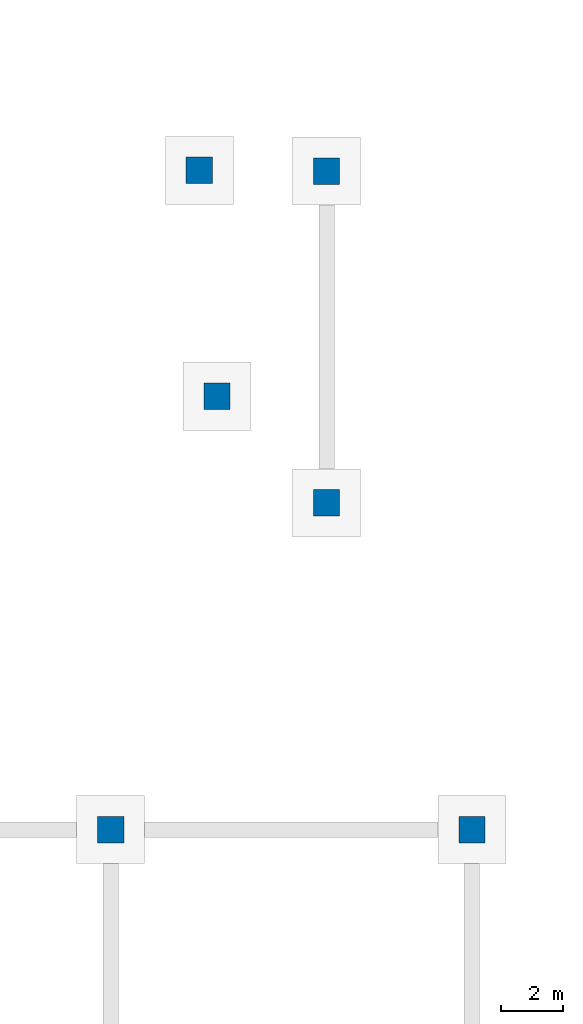
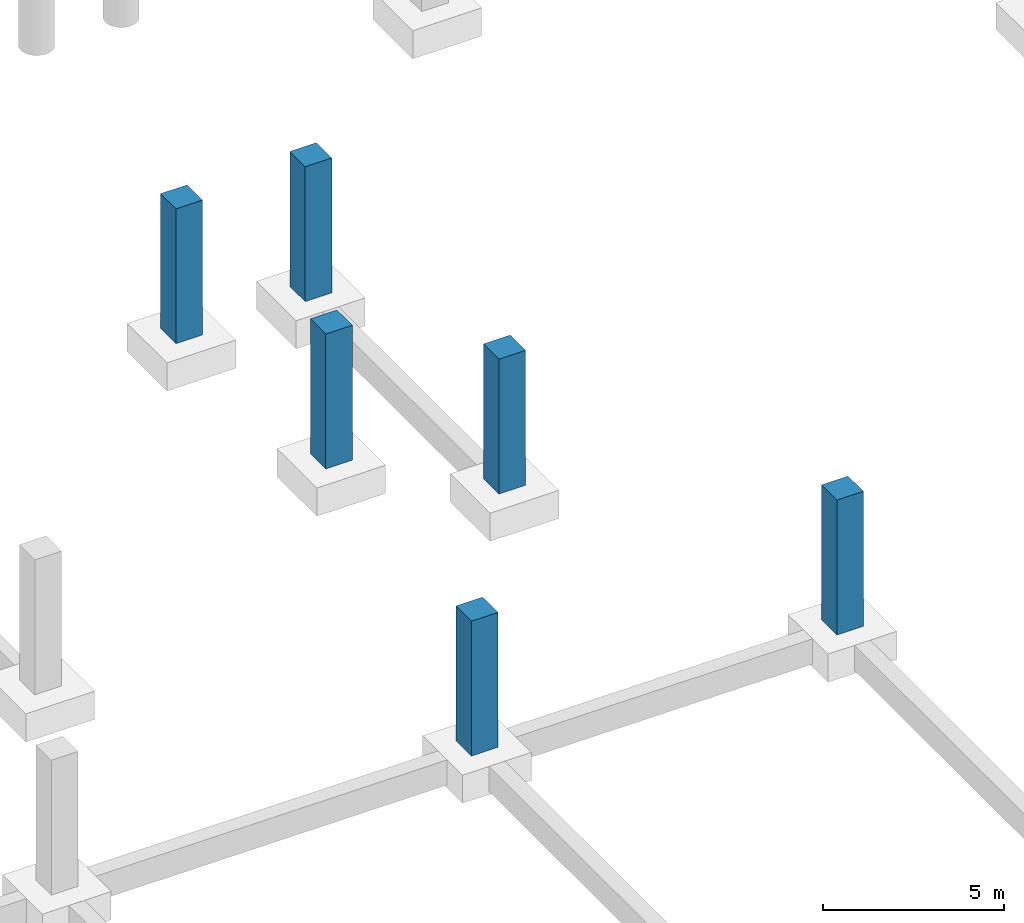
# One storey, part 15 of 44: 6 columns.
"""IFC4 building model written with IfcOpenShell, lengths in metres."""

from ifc_helpers import new_model, si_unit, direction, frame, origin, origin_2d, place, context, subcontext, project, spatial, rectangle, extrude, material, material_profile, profile_set, type_object, element, save


model = new_model("IFC4")

# Units and contexts
model_context = context("Model", 3, precision=1e-05, world=origin(), true_north=direction((0.0, 1.0)))
body_context = subcontext(model_context, "Body", "Model", "MODEL_VIEW")
ifc_project = project(units=[si_unit("LENGTHUNIT", "METRE"), si_unit("AREAUNIT", "SQUARE_METRE"), si_unit("VOLUMEUNIT", "CUBIC_METRE"), si_unit("PLANEANGLEUNIT", "RADIAN"), si_unit("MASSUNIT", "GRAM", prefix="KILO")], contexts=[model_context])

# Site, building, storey
site_placement = place(None, origin())
site = spatial("IfcSite", under=ifc_project, at=site_placement, CompositionType="ELEMENT")
building_placement = place(site_placement, origin())
building = spatial("IfcBuilding", under=site, at=building_placement, Name="Kisaragi Civic Commons", CompositionType="ELEMENT")
storey_placement = place(building_placement, frame((0.0, 0.0, -4.800048828125)))
storey = spatial("IfcBuildingStorey", under=building, at=storey_placement, Name="B1", CompositionType="ELEMENT", Elevation=-4.800048828125)

# Columns
ifc_material = material(Name="Concrete Fc36", Category="concrete")
ifc_material_profile = material_profile(ifc_material, rectangle(XDim=0.85009765625, YDim=0.85009765625, at=origin_2d()), Name="RC-850x850", Category="concrete")
ifc_profile_set = profile_set([ifc_material_profile], Name="Concrete Fc36")
column_type = type_object("IfcColumnType", Name="C-01", PredefinedType="COLUMN", material=ifc_profile_set)
for number, where, z_axis, x_axis, name in (
    (1, (65.736328125, 39.75, 0.0), (0.0, 0.0, 1.0), (1.0, 0.0, 0.0), "B1 column C-01 (65.7,39.8)"),
    (2, (68.6015625, 61.057861328125, 0.0), (0.0, 0.0, 1.0), (1.0, 0.0, 0.0), "B1 column C-01 (68.6,61.1)"),
    (3, (69.171142578125, 53.75634765625, 0.0), (0.0, 0.0, 1.0), (1.0, 0.0, 0.0), "B1 column C-01 (69.2,53.8)"),
    (4, (72.713623046875, 50.3125, 0.0), (0.0, 0.0, 1.0), (1.0, 0.0, 0.0), "B1 column C-01 (72.7,50.3)"),
    (5, (72.713623046875, 61.030029296875, 0.0), (0.0, 0.0, 1.0), (1.0, 0.0, 0.0), "B1 column C-01 (72.7,61.0)"),
    (6, (77.409912109375, 39.75, 0.0), (0.0, 0.0, 1.0), (1.0, 0.0, 0.0), "B1 column C-01 (77.4,39.8)"),
):
    element("IfcColumn", number, at=place(storey_placement, frame(where, z_axis=z_axis, x_axis=x_axis)), inside=storey, type_object=column_type, Name=name, PredefinedType="COLUMN", context=body_context, shape_type="SweptSolid", body=[
        extrude(rectangle(XDim=0.85009765625, YDim=0.85009765625, at=origin_2d()), origin(), (0.0, 0.0, 1.0), 4.554931640625),
    ])

save(model, "model.ifc")
